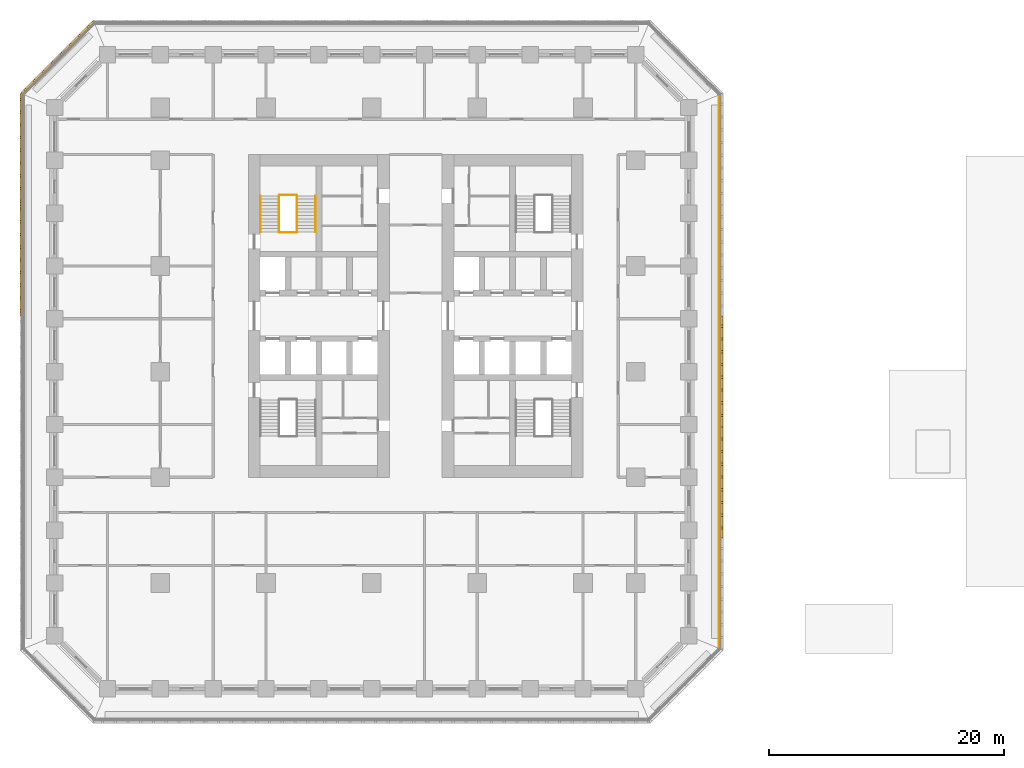
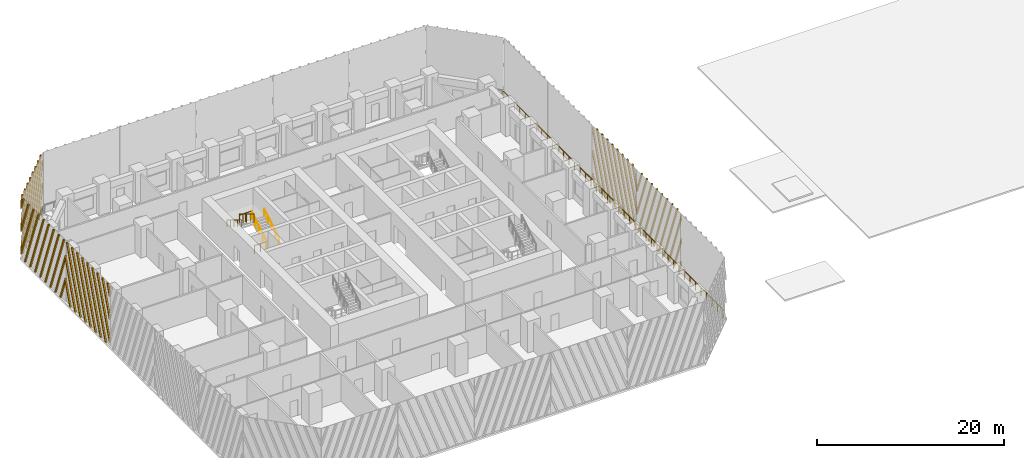
# One storey, part 12 of 15: 7 railings, 5 shading devices.
"""IFC4 building model written with IfcOpenShell, lengths in metres."""

from ifc_helpers import new_model, si_unit, direction, frame, origin, origin_2d, place, context, subcontext, project, spatial, polyline, circle, outline, extrude, source, transform, mapped, material, type_object, element, save


model = new_model("IFC4")

# Units and contexts
model_context = context("Model", 3, precision=1e-05, world=origin(), true_north=direction((0.0, 1.0)))
body_context = subcontext(model_context, "Body", "Model", "MODEL_VIEW")
ifc_project = project(units=[si_unit("LENGTHUNIT", "METRE"), si_unit("AREAUNIT", "SQUARE_METRE"), si_unit("VOLUMEUNIT", "CUBIC_METRE"), si_unit("PLANEANGLEUNIT", "RADIAN"), si_unit("MASSUNIT", "GRAM", prefix="KILO")], contexts=[model_context])

# Site, building, storey
site_placement = place(None, origin())
site = spatial("IfcSite", under=ifc_project, at=site_placement, CompositionType="ELEMENT")
building_placement = place(site_placement, origin())
building = spatial("IfcBuilding", under=site, at=building_placement, Name="Corbel Stack Research Tower", CompositionType="ELEMENT")
storey_placement = place(building_placement, frame((0.0, 0.0, 23.60009765625)))
storey = spatial("IfcBuildingStorey", under=building, at=storey_placement, Name="L05", CompositionType="ELEMENT", Elevation=23.60009765625)

# Railings
ifc_material_1 = material(Name="Steel S355", Category="steel")
railing_type_1 = type_object("IfcRailingType", Name="Stair guard 1100", PredefinedType="GUARDRAIL", material=ifc_material_1)
railing_1_placement = place(storey_placement, frame((-6.35009765625, 11.89990234375, 0.170654296875)))
element("IfcRailing", 1, at=railing_1_placement, inside=storey, type_object=railing_type_1, Name="L05 ST-W2 stair guard 1", PredefinedType="GUARDRAIL", context=body_context, shape_type="SweptSolid", body=[
    extrude(circle(Radius=0.02392578125, at=origin_2d()), frame((0.0, 0.0, 1.076171875), z_axis=(0.0, 0.853666305674, 0.52082035152), x_axis=(-1.0, 0.0, 0.0)), (0.0, 0.0, 1.0), 3.608154296875),
    extrude(circle(Radius=0.02099609375, at=origin_2d()), origin(), (0.0, 0.0, 1.0), 1.052001953125),
    extrude(circle(Radius=0.02099609375, at=origin_2d()), frame((0.0, 0.77001953125, 0.4697265625)), (0.0, 0.0, 1.0), 1.052001953125),
    extrude(circle(Radius=0.02099609375, at=origin_2d()), frame((0.0, 1.5400390625, 0.939453125)), (0.0, 0.0, 1.0), 1.052001953125),
    extrude(circle(Radius=0.02099609375, at=origin_2d()), frame((0.0, 2.31005859375, 1.409423828125)), (0.0, 0.0, 1.0), 1.052001953125),
    extrude(circle(Radius=0.02099609375, at=origin_2d()), frame((0.0, 3.080078125, 1.879150390625)), (0.0, 0.0, 1.0), 1.052001953125),
])
railing_2_placement = place(storey_placement, frame((-6.39990234375, 15.030029296875, 2.0498046875)))
element("IfcRailing", 2, at=railing_2_placement, inside=storey, type_object=railing_type_1, Name="L05 ST-W2 stair guard 2", PredefinedType="GUARDRAIL", context=body_context, shape_type="SweptSolid", body=[
    extrude(circle(Radius=0.02392578125, at=origin_2d()), frame((0.0, 0.0, 1.076171875), z_axis=(-1.0, 0.0, 0.0), x_axis=(0.0, -1.0, 0.0)), (0.0, 0.0, 1.0), 1.4501953125),
    extrude(circle(Radius=0.02099609375, at=origin_2d()), origin(), (0.0, 0.0, 1.0), 1.052001953125),
    extrude(circle(Radius=0.02099609375, at=origin_2d()), frame((-0.72509765625, 0.0, 0.0)), (0.0, 0.0, 1.0), 1.052001953125),
    extrude(circle(Radius=0.02099609375, at=origin_2d()), frame((-1.4501953125, 0.0, 0.0)), (0.0, 0.0, 1.0), 1.052001953125),
])
railing_3_placement = place(storey_placement, frame((-7.89990234375, 14.97998046875, 2.220703125)))
element("IfcRailing", 3, at=railing_3_placement, inside=storey, type_object=railing_type_1, Name="L05 ST-W2 stair guard 3", PredefinedType="GUARDRAIL", context=body_context, shape_type="SweptSolid", body=[
    extrude(circle(Radius=0.02392578125, at=origin_2d()), frame((0.0, 0.0, 1.076171875), z_axis=(0.0, -0.853666305674, 0.52082035152), x_axis=(1.0, 0.0, 0.0)), (0.0, 0.0, 1.0), 3.608154296875),
    extrude(circle(Radius=0.02099609375, at=origin_2d()), origin(), (0.0, 0.0, 1.0), 1.052001953125),
    extrude(circle(Radius=0.02099609375, at=origin_2d()), frame((0.0, -0.77001953125, 0.4697265625)), (0.0, 0.0, 1.0), 1.052001953125),
    extrude(circle(Radius=0.02099609375, at=origin_2d()), frame((0.0, -1.5400390625, 0.939453125)), (0.0, 0.0, 1.0), 1.052001953125),
    extrude(circle(Radius=0.02099609375, at=origin_2d()), frame((0.0, -2.31005859375, 1.409423828125)), (0.0, 0.0, 1.0), 1.052001953125),
    extrude(circle(Radius=0.02099609375, at=origin_2d()), frame((0.0, -3.080078125, 1.879150390625)), (0.0, 0.0, 1.0), 1.052001953125),
])
railing_4_placement = place(storey_placement, frame((-6.39990234375, 11.85009765625, 0.0)))
element("IfcRailing", 4, at=railing_4_placement, inside=storey, type_object=railing_type_1, Name="L05 ST-W2 stair guard 4", PredefinedType="GUARDRAIL", context=body_context, shape_type="SweptSolid", body=[
    extrude(circle(Radius=0.02392578125, at=origin_2d()), frame((0.0, 0.0, 1.076171875), z_axis=(-1.0, 0.0, 0.0), x_axis=(0.0, -1.0, 0.0)), (0.0, 0.0, 1.0), 1.4501953125),
    extrude(circle(Radius=0.02099609375, at=origin_2d()), origin(), (0.0, 0.0, 1.0), 1.052001953125),
    extrude(circle(Radius=0.02099609375, at=origin_2d()), frame((-0.72509765625, 0.0, 0.0)), (0.0, 0.0, 1.0), 1.052001953125),
    extrude(circle(Radius=0.02099609375, at=origin_2d()), frame((-1.4501953125, 0.0, 0.0)), (0.0, 0.0, 1.0), 1.052001953125),
])
ifc_material_2 = material(Name="Steel S355", Category="steel")
railing_type_2 = type_object("IfcRailingType", Name="Stair handrail 900", PredefinedType="HANDRAIL", material=ifc_material_2)
railing_5_placement = place(storey_placement, frame((-4.800048828125, 11.89990234375, 0.170654296875)))
element("IfcRailing", 5, at=railing_5_placement, inside=storey, type_object=railing_type_2, Name="L05 ST-W2 stair handrail 1", PredefinedType="HANDRAIL", context=body_context, shape_type="SweptSolid", body=[
    extrude(circle(Radius=0.02392578125, at=origin_2d()), frame((0.0, 0.0, 0.8759765625), z_axis=(0.0, 0.853666305674, 0.52082035152), x_axis=(-1.0, 0.0, 0.0)), (0.0, 0.0, 1.0), 3.608154296875),
    extrude(circle(Radius=0.02099609375, at=origin_2d()), origin(), (0.0, 0.0, 1.0), 0.851806640625),
    extrude(circle(Radius=0.02099609375, at=origin_2d()), frame((0.0, 0.77001953125, 0.4697265625)), (0.0, 0.0, 1.0), 0.851806640625),
    extrude(circle(Radius=0.02099609375, at=origin_2d()), frame((0.0, 1.5400390625, 0.939453125)), (0.0, 0.0, 1.0), 0.851806640625),
    extrude(circle(Radius=0.02099609375, at=origin_2d()), frame((0.0, 2.31005859375, 1.409423828125)), (0.0, 0.0, 1.0), 0.851806640625),
    extrude(circle(Radius=0.02099609375, at=origin_2d()), frame((0.0, 3.080078125, 1.879150390625)), (0.0, 0.0, 1.0), 0.851806640625),
])
railing_6_placement = place(storey_placement, frame((-9.449951171875, 14.97998046875, 2.220703125)))
element("IfcRailing", 6, at=railing_6_placement, inside=storey, type_object=railing_type_2, Name="L05 ST-W2 stair handrail 2", PredefinedType="HANDRAIL", context=body_context, shape_type="SweptSolid", body=[
    extrude(circle(Radius=0.02392578125, at=origin_2d()), frame((0.0, 0.0, 0.8759765625), z_axis=(0.0, -0.853666305674, 0.52082035152), x_axis=(1.0, 0.0, 0.0)), (0.0, 0.0, 1.0), 3.608154296875),
    extrude(circle(Radius=0.02099609375, at=origin_2d()), origin(), (0.0, 0.0, 1.0), 0.851806640625),
    extrude(circle(Radius=0.02099609375, at=origin_2d()), frame((0.0, -0.77001953125, 0.4697265625)), (0.0, 0.0, 1.0), 0.851806640625),
    extrude(circle(Radius=0.02099609375, at=origin_2d()), frame((0.0, -1.5400390625, 0.939453125)), (0.0, 0.0, 1.0), 0.851806640625),
    extrude(circle(Radius=0.02099609375, at=origin_2d()), frame((0.0, -2.31005859375, 1.409423828125)), (0.0, 0.0, 1.0), 0.851806640625),
    extrude(circle(Radius=0.02099609375, at=origin_2d()), frame((0.0, -3.080078125, 1.879150390625)), (0.0, 0.0, 1.0), 0.851806640625),
])
ifc_material_3 = material(Name="Powder-coated steel guard", Category="steel")
railing_type_3 = type_object("IfcRailingType", Name="Steel and glass guard 1100", PredefinedType="GUARDRAIL", material=ifc_material_3)
railing_7_placement = place(storey_placement, frame((29.60009765625, -23.50537109375, 0.0)))
element("IfcRailing", 7, at=railing_7_placement, inside=storey, type_object=railing_type_3, Name="Loggia guard L05 E", PredefinedType="GUARDRAIL", context=body_context, shape_type="SweptSolid", body=[
    extrude(circle(Radius=0.02392578125, at=origin_2d()), frame((0.0, 0.0, 1.076171875), z_axis=(0.0, 1.0, 0.0), x_axis=(-1.0, 0.0, 0.0)), (0.0, 0.0, 1.0), 47.0107421875),
    extrude(circle(Radius=0.02099609375, at=origin_2d()), origin(), (0.0, 0.0, 1.0), 1.052001953125),
    extrude(circle(Radius=0.02099609375, at=origin_2d()), frame((0.0, 1.17529296875, 0.0)), (0.0, 0.0, 1.0), 1.052001953125),
    extrude(circle(Radius=0.02099609375, at=origin_2d()), frame((0.0, 2.3505859375, 0.0)), (0.0, 0.0, 1.0), 1.052001953125),
    extrude(circle(Radius=0.02099609375, at=origin_2d()), frame((0.0, 3.52587890625, 0.0)), (0.0, 0.0, 1.0), 1.052001953125),
    extrude(circle(Radius=0.02099609375, at=origin_2d()), frame((0.0, 4.701171875, 0.0)), (0.0, 0.0, 1.0), 1.052001953125),
    extrude(circle(Radius=0.02099609375, at=origin_2d()), frame((0.0, 5.87646484375, 0.0)), (0.0, 0.0, 1.0), 1.052001953125),
    extrude(circle(Radius=0.02099609375, at=origin_2d()), frame((0.0, 7.051513671875, 0.0)), (0.0, 0.0, 1.0), 1.052001953125),
    extrude(circle(Radius=0.02099609375, at=origin_2d()), frame((0.0, 8.226806640625, 0.0)), (0.0, 0.0, 1.0), 1.052001953125),
    extrude(circle(Radius=0.02099609375, at=origin_2d()), frame((0.0, 9.402099609375, 0.0)), (0.0, 0.0, 1.0), 1.052001953125),
    extrude(circle(Radius=0.02099609375, at=origin_2d()), frame((0.0, 10.577392578125, 0.0)), (0.0, 0.0, 1.0), 1.052001953125),
    extrude(circle(Radius=0.02099609375, at=origin_2d()), frame((0.0, 11.752685546875, 0.0)), (0.0, 0.0, 1.0), 1.052001953125),
    extrude(circle(Radius=0.02099609375, at=origin_2d()), frame((0.0, 12.927978515625, 0.0)), (0.0, 0.0, 1.0), 1.052001953125),
    extrude(circle(Radius=0.02099609375, at=origin_2d()), frame((0.0, 14.103271484375, 0.0)), (0.0, 0.0, 1.0), 1.052001953125),
    extrude(circle(Radius=0.02099609375, at=origin_2d()), frame((0.0, 15.278564453125, 0.0)), (0.0, 0.0, 1.0), 1.052001953125),
    extrude(circle(Radius=0.02099609375, at=origin_2d()), frame((0.0, 16.453857421875, 0.0)), (0.0, 0.0, 1.0), 1.052001953125),
    extrude(circle(Radius=0.02099609375, at=origin_2d()), frame((0.0, 17.62890625, 0.0)), (0.0, 0.0, 1.0), 1.052001953125),
    extrude(circle(Radius=0.02099609375, at=origin_2d()), frame((0.0, 18.80419921875, 0.0)), (0.0, 0.0, 1.0), 1.052001953125),
    extrude(circle(Radius=0.02099609375, at=origin_2d()), frame((0.0, 19.9794921875, 0.0)), (0.0, 0.0, 1.0), 1.052001953125),
    extrude(circle(Radius=0.02099609375, at=origin_2d()), frame((0.0, 21.15478515625, 0.0)), (0.0, 0.0, 1.0), 1.052001953125),
    extrude(circle(Radius=0.02099609375, at=origin_2d()), frame((0.0, 22.330078125, 0.0)), (0.0, 0.0, 1.0), 1.052001953125),
    extrude(circle(Radius=0.02099609375, at=origin_2d()), frame((0.0, 23.50537109375, 0.0)), (0.0, 0.0, 1.0), 1.052001953125),
    extrude(circle(Radius=0.02099609375, at=origin_2d()), frame((0.0, 24.6806640625, 0.0)), (0.0, 0.0, 1.0), 1.052001953125),
    extrude(circle(Radius=0.02099609375, at=origin_2d()), frame((0.0, 25.85595703125, 0.0)), (0.0, 0.0, 1.0), 1.052001953125),
    extrude(circle(Radius=0.02099609375, at=origin_2d()), frame((0.0, 27.03125, 0.0)), (0.0, 0.0, 1.0), 1.052001953125),
    extrude(circle(Radius=0.02099609375, at=origin_2d()), frame((0.0, 28.20654296875, 0.0)), (0.0, 0.0, 1.0), 1.052001953125),
    extrude(circle(Radius=0.02099609375, at=origin_2d()), frame((0.0, 29.3818359375, 0.0)), (0.0, 0.0, 1.0), 1.052001953125),
    extrude(circle(Radius=0.02099609375, at=origin_2d()), frame((0.0, 30.556884765625, 0.0)), (0.0, 0.0, 1.0), 1.052001953125),
    extrude(circle(Radius=0.02099609375, at=origin_2d()), frame((0.0, 31.732177734375, 0.0)), (0.0, 0.0, 1.0), 1.052001953125),
    extrude(circle(Radius=0.02099609375, at=origin_2d()), frame((0.0, 32.907470703125, 0.0)), (0.0, 0.0, 1.0), 1.052001953125),
    extrude(circle(Radius=0.02099609375, at=origin_2d()), frame((0.0, 34.082763671875, 0.0)), (0.0, 0.0, 1.0), 1.052001953125),
    extrude(circle(Radius=0.02099609375, at=origin_2d()), frame((0.0, 35.258056640625, 0.0)), (0.0, 0.0, 1.0), 1.052001953125),
    extrude(circle(Radius=0.02099609375, at=origin_2d()), frame((0.0, 36.433349609375, 0.0)), (0.0, 0.0, 1.0), 1.052001953125),
    extrude(circle(Radius=0.02099609375, at=origin_2d()), frame((0.0, 37.608642578125, 0.0)), (0.0, 0.0, 1.0), 1.052001953125),
    extrude(circle(Radius=0.02099609375, at=origin_2d()), frame((0.0, 38.783935546875, 0.0)), (0.0, 0.0, 1.0), 1.052001953125),
    extrude(circle(Radius=0.02099609375, at=origin_2d()), frame((0.0, 39.959228515625, 0.0)), (0.0, 0.0, 1.0), 1.052001953125),
    extrude(circle(Radius=0.02099609375, at=origin_2d()), frame((0.0, 41.13427734375, 0.0)), (0.0, 0.0, 1.0), 1.052001953125),
    extrude(circle(Radius=0.02099609375, at=origin_2d()), frame((0.0, 42.3095703125, 0.0)), (0.0, 0.0, 1.0), 1.052001953125),
    extrude(circle(Radius=0.02099609375, at=origin_2d()), frame((0.0, 43.48486328125, 0.0)), (0.0, 0.0, 1.0), 1.052001953125),
    extrude(circle(Radius=0.02099609375, at=origin_2d()), frame((0.0, 44.66015625, 0.0)), (0.0, 0.0, 1.0), 1.052001953125),
    extrude(circle(Radius=0.02099609375, at=origin_2d()), frame((0.0, 45.83544921875, 0.0)), (0.0, 0.0, 1.0), 1.052001953125),
    extrude(circle(Radius=0.02099609375, at=origin_2d()), frame((0.0, 47.0107421875, 0.0)), (0.0, 0.0, 1.0), 1.052001953125),
])

# Shading devices
ifc_material_4 = material(Name="Precast terracotta", Category="masonry")
shading_device_type = type_object("IfcShadingDeviceType", Name="Terracotta screen panel", PredefinedType="USERDEFINED", material=ifc_material_4)
shared_shape_1 = source(origin(), body_context, "Body", "SweptSolid", [
    extrude(outline(polyline([(1.09033203125, 7.949951171875), (0.900390625, 7.949951171875), (0.0, 5.476318359375), (0.0, 4.9541015625), (1.09033203125, 7.949951171875)])), frame((0.0, 0.0, 0.0), z_axis=(0.0, -1.0, 0.0), x_axis=(1.0, 0.0, 0.0)), (0.0, 0.0, 1.0), 0.179931640625),
    extrude(outline(polyline([(2.175048828125, 7.949951171875), (1.985107421875, 7.949951171875), (0.0, 2.49609375), (0.0, 1.97412109375), (2.175048828125, 7.949951171875)])), frame((0.0, 0.0, 0.0), z_axis=(0.0, -1.0, 0.0), x_axis=(1.0, 0.0, 0.0)), (0.0, 0.0, 1.0), 0.179931640625),
    extrude(outline(polyline([(0.3662109375, 0.0), (3.259765625, 7.949951171875), (3.069580078125, 7.949951171875), (0.17626953125, 0.0), (0.3662109375, 0.0)])), frame((0.0, 0.0, 0.0), z_axis=(0.0, -1.0, 0.0), x_axis=(1.0, 0.0, 0.0)), (0.0, 0.0, 1.0), 0.179931640625),
    extrude(outline(polyline([(1.45068359375, 0.0), (4.344482421875, 7.949951171875), (4.154296875, 7.949951171875), (1.2607421875, 0.0), (1.45068359375, 0.0)])), frame((0.0, 0.0, 0.0), z_axis=(0.0, -1.0, 0.0), x_axis=(1.0, 0.0, 0.0)), (0.0, 0.0, 1.0), 0.179931640625),
    extrude(outline(polyline([(2.535400390625, 0.0), (5.42919921875, 7.949951171875), (5.239013671875, 7.949951171875), (2.345458984375, 0.0), (2.535400390625, 0.0)])), frame((0.0, 0.0, 0.0), z_axis=(0.0, -1.0, 0.0), x_axis=(1.0, 0.0, 0.0)), (0.0, 0.0, 1.0), 0.179931640625),
    extrude(outline(polyline([(3.6201171875, 0.0), (6.513671875, 7.949951171875), (6.32373046875, 7.949951171875), (3.43017578125, 0.0), (3.6201171875, 0.0)])), frame((0.0, 0.0, 0.0), z_axis=(0.0, -1.0, 0.0), x_axis=(1.0, 0.0, 0.0)), (0.0, 0.0, 1.0), 0.179931640625),
    extrude(outline(polyline([(4.704833984375, 0.0), (7.598388671875, 7.949951171875), (7.408447265625, 7.949951171875), (4.514892578125, 0.0), (4.704833984375, 0.0)])), frame((0.0, 0.0, 0.0), z_axis=(0.0, -1.0, 0.0), x_axis=(1.0, 0.0, 0.0)), (0.0, 0.0, 1.0), 0.179931640625),
    extrude(outline(polyline([(5.78955078125, 0.0), (8.68310546875, 7.949951171875), (8.4931640625, 7.949951171875), (5.599609375, 0.0), (5.78955078125, 0.0)])), frame((0.0, 0.0, 0.0), z_axis=(0.0, -1.0, 0.0), x_axis=(1.0, 0.0, 0.0)), (0.0, 0.0, 1.0), 0.179931640625),
    extrude(outline(polyline([(6.874267578125, 0.0), (9.45556640625, 7.092529296875), (9.45556640625, 7.614501953125), (6.68408203125, 0.0), (6.874267578125, 0.0)])), frame((0.0, 0.0, 0.0), z_axis=(0.0, -1.0, 0.0), x_axis=(1.0, 0.0, 0.0)), (0.0, 0.0, 1.0), 0.179931640625),
    extrude(outline(polyline([(7.958740234375, 0.0), (9.45556640625, 4.1123046875), (9.45556640625, 4.634521484375), (7.768798828125, 0.0), (7.958740234375, 0.0)])), frame((0.0, 0.0, 0.0), z_axis=(0.0, -1.0, 0.0), x_axis=(1.0, 0.0, 0.0)), (0.0, 0.0, 1.0), 0.179931640625),
    extrude(outline(polyline([(9.04345703125, 0.0), (9.45556640625, 1.13232421875), (9.45556640625, 1.654296875), (8.853515625, 0.0), (9.04345703125, 0.0)])), frame((0.0, 0.0, 0.0), z_axis=(0.0, -1.0, 0.0), x_axis=(1.0, 0.0, 0.0)), (0.0, 0.0, 1.0), 0.179931640625),
])
shading_device_1_placement = place(storey_placement, frame((29.75, -4.727783203125, 0.0), z_axis=(0.0, 0.0, 1.0), x_axis=(0.0, 1.0, 0.0)))
element("IfcShadingDevice", 8, at=shading_device_1_placement, inside=storey, type_object=shading_device_type, Name="Terracotta screen L05 E3", ObjectType="SCREEN", PredefinedType="USERDEFINED", context=body_context, shape_type="MappedRepresentation", body=[
    mapped(shared_shape_1, transform((0.0, 0.0, 0.0))),
])
shared_shape_2 = source(origin(), body_context, "Body", "SweptSolid", [
    extrude(outline(polyline([(0.60205078125, 0.0), (0.0, 1.654296875), (0.0, 1.13232421875), (0.412109375, 0.0), (0.60205078125, 0.0)])), frame((0.0, 0.0, 0.0), z_axis=(0.0, -1.0, 0.0), x_axis=(1.0, 0.0, 0.0)), (0.0, 0.0, 1.0), 0.179931640625),
    extrude(outline(polyline([(1.686767578125, 0.0), (0.0, 4.634521484375), (0.0, 4.1123046875), (1.496826171875, 0.0), (1.686767578125, 0.0)])), frame((0.0, 0.0, 0.0), z_axis=(0.0, -1.0, 0.0), x_axis=(1.0, 0.0, 0.0)), (0.0, 0.0, 1.0), 0.179931640625),
    extrude(outline(polyline([(2.771484375, 0.0), (0.0, 7.614501953125), (0.0, 7.092529296875), (2.58154296875, 0.0), (2.771484375, 0.0)])), frame((0.0, 0.0, 0.0), z_axis=(0.0, -1.0, 0.0), x_axis=(1.0, 0.0, 0.0)), (0.0, 0.0, 1.0), 0.179931640625),
    extrude(outline(polyline([(3.856201171875, 0.0), (0.962646484375, 7.949951171875), (0.772705078125, 7.949951171875), (3.666015625, 0.0), (3.856201171875, 0.0)])), frame((0.0, 0.0, 0.0), z_axis=(0.0, -1.0, 0.0), x_axis=(1.0, 0.0, 0.0)), (0.0, 0.0, 1.0), 0.179931640625),
    extrude(outline(polyline([(4.94091796875, 0.0), (2.047119140625, 7.949951171875), (1.857177734375, 7.949951171875), (4.750732421875, 0.0), (4.94091796875, 0.0)])), frame((0.0, 0.0, 0.0), z_axis=(0.0, -1.0, 0.0), x_axis=(1.0, 0.0, 0.0)), (0.0, 0.0, 1.0), 0.179931640625),
    extrude(outline(polyline([(6.025390625, 0.0), (3.1318359375, 7.949951171875), (2.94189453125, 7.949951171875), (5.83544921875, 0.0), (6.025390625, 0.0)])), frame((0.0, 0.0, 0.0), z_axis=(0.0, -1.0, 0.0), x_axis=(1.0, 0.0, 0.0)), (0.0, 0.0, 1.0), 0.179931640625),
    extrude(outline(polyline([(7.110107421875, 0.0), (4.216552734375, 7.949951171875), (4.026611328125, 7.949951171875), (6.920166015625, 0.0), (7.110107421875, 0.0)])), frame((0.0, 0.0, 0.0), z_axis=(0.0, -1.0, 0.0), x_axis=(1.0, 0.0, 0.0)), (0.0, 0.0, 1.0), 0.179931640625),
    extrude(outline(polyline([(8.19482421875, 0.0), (5.30126953125, 7.949951171875), (5.111083984375, 7.949951171875), (8.0048828125, 0.0), (8.19482421875, 0.0)])), frame((0.0, 0.0, 0.0), z_axis=(0.0, -1.0, 0.0), x_axis=(1.0, 0.0, 0.0)), (0.0, 0.0, 1.0), 0.179931640625),
    extrude(outline(polyline([(9.279541015625, 0.0), (6.385986328125, 7.949951171875), (6.19580078125, 7.949951171875), (9.089599609375, 0.0), (9.279541015625, 0.0)])), frame((0.0, 0.0, 0.0), z_axis=(0.0, -1.0, 0.0), x_axis=(1.0, 0.0, 0.0)), (0.0, 0.0, 1.0), 0.179931640625),
    extrude(outline(polyline([(7.470703125, 7.949951171875), (7.280517578125, 7.949951171875), (9.45556640625, 1.97412109375), (9.45556640625, 2.49609375), (7.470703125, 7.949951171875)])), frame((0.0, 0.0, 0.0), z_axis=(0.0, -1.0, 0.0), x_axis=(1.0, 0.0, 0.0)), (0.0, 0.0, 1.0), 0.179931640625),
    extrude(outline(polyline([(8.55517578125, 7.949951171875), (8.365234375, 7.949951171875), (9.45556640625, 4.9541015625), (9.45556640625, 5.476318359375), (8.55517578125, 7.949951171875)])), frame((0.0, 0.0, 0.0), z_axis=(0.0, -1.0, 0.0), x_axis=(1.0, 0.0, 0.0)), (0.0, 0.0, 1.0), 0.179931640625),
])
shading_device_2_placement = place(storey_placement, frame((29.75, -14.18359375, 0.0), z_axis=(0.0, 0.0, 1.0), x_axis=(0.0, 1.0, 0.0)))
element("IfcShadingDevice", 9, at=shading_device_2_placement, inside=storey, type_object=shading_device_type, Name="Terracotta screen L05 E2", ObjectType="SCREEN", PredefinedType="USERDEFINED", context=body_context, shape_type="MappedRepresentation", body=[
    mapped(shared_shape_2, transform((0.0, 0.0, 0.0))),
])
shared_shape_3 = source(origin(), body_context, "Body", "SweptSolid", [
    extrude(outline(polyline([(0.548095703125, 7.949951171875), (0.358154296875, 7.949951171875), (0.0, 6.96630859375), (0.0, 6.444091796875), (0.548095703125, 7.949951171875)])), frame((0.0, 0.0, 0.0), z_axis=(0.0, -1.0, 0.0), x_axis=(1.0, 0.0, 0.0)), (0.0, 0.0, 1.0), 0.179931640625),
    extrude(outline(polyline([(1.6328125, 7.949951171875), (1.442626953125, 7.949951171875), (0.0, 3.986083984375), (0.0, 3.464111328125), (1.6328125, 7.949951171875)])), frame((0.0, 0.0, 0.0), z_axis=(0.0, -1.0, 0.0), x_axis=(1.0, 0.0, 0.0)), (0.0, 0.0, 1.0), 0.179931640625),
    extrude(outline(polyline([(2.71728515625, 7.949951171875), (2.52734375, 7.949951171875), (0.0, 1.006103515625), (0.0, 0.48388671875), (2.71728515625, 7.949951171875)])), frame((0.0, 0.0, 0.0), z_axis=(0.0, -1.0, 0.0), x_axis=(1.0, 0.0, 0.0)), (0.0, 0.0, 1.0), 0.179931640625),
    extrude(outline(polyline([(0.908447265625, 0.0), (3.802001953125, 7.949951171875), (3.612060546875, 7.949951171875), (0.718505859375, 0.0), (0.908447265625, 0.0)])), frame((0.0, 0.0, 0.0), z_axis=(0.0, -1.0, 0.0), x_axis=(1.0, 0.0, 0.0)), (0.0, 0.0, 1.0), 0.179931640625),
    extrude(outline(polyline([(1.9931640625, 0.0), (4.88671875, 7.949951171875), (4.69677734375, 7.949951171875), (1.80322265625, 0.0), (1.9931640625, 0.0)])), frame((0.0, 0.0, 0.0), z_axis=(0.0, -1.0, 0.0), x_axis=(1.0, 0.0, 0.0)), (0.0, 0.0, 1.0), 0.179931640625),
    extrude(outline(polyline([(3.077880859375, 0.0), (5.971435546875, 7.949951171875), (5.781494140625, 7.949951171875), (2.8876953125, 0.0), (3.077880859375, 0.0)])), frame((0.0, 0.0, 0.0), z_axis=(0.0, -1.0, 0.0), x_axis=(1.0, 0.0, 0.0)), (0.0, 0.0, 1.0), 0.179931640625),
    extrude(outline(polyline([(4.16259765625, 0.0), (7.05615234375, 7.949951171875), (6.8662109375, 7.949951171875), (3.972412109375, 0.0), (4.16259765625, 0.0)])), frame((0.0, 0.0, 0.0), z_axis=(0.0, -1.0, 0.0), x_axis=(1.0, 0.0, 0.0)), (0.0, 0.0, 1.0), 0.179931640625),
    extrude(outline(polyline([(5.247314453125, 0.0), (8.140625, 7.949951171875), (7.95068359375, 7.949951171875), (5.05712890625, 0.0), (5.247314453125, 0.0)])), frame((0.0, 0.0, 0.0), z_axis=(0.0, -1.0, 0.0), x_axis=(1.0, 0.0, 0.0)), (0.0, 0.0, 1.0), 0.179931640625),
    extrude(outline(polyline([(6.331787109375, 0.0), (9.225341796875, 7.949951171875), (9.035400390625, 7.949951171875), (6.141845703125, 0.0), (6.331787109375, 0.0)])), frame((0.0, 0.0, 0.0), z_axis=(0.0, -1.0, 0.0), x_axis=(1.0, 0.0, 0.0)), (0.0, 0.0, 1.0), 0.179931640625),
    extrude(outline(polyline([(7.41650390625, 0.0), (9.45556640625, 5.6025390625), (9.45556640625, 6.12451171875), (7.2265625, 0.0), (7.41650390625, 0.0)])), frame((0.0, 0.0, 0.0), z_axis=(0.0, -1.0, 0.0), x_axis=(1.0, 0.0, 0.0)), (0.0, 0.0, 1.0), 0.179931640625),
    extrude(outline(polyline([(8.501220703125, 0.0), (9.45556640625, 2.622314453125), (9.45556640625, 3.144287109375), (8.311279296875, 0.0), (8.501220703125, 0.0)])), frame((0.0, 0.0, 0.0), z_axis=(0.0, -1.0, 0.0), x_axis=(1.0, 0.0, 0.0)), (0.0, 0.0, 1.0), 0.179931640625),
])
shading_device_3_placement = place(storey_placement, frame((-29.75, 23.63916015625, 0.0), z_axis=(0.0, 0.0, 1.0), x_axis=(0.0, -1.0, 0.0)))
element("IfcShadingDevice", 10, at=shading_device_3_placement, inside=storey, type_object=shading_device_type, Name="Terracotta screen L05 W1", ObjectType="SCREEN", PredefinedType="USERDEFINED", context=body_context, shape_type="MappedRepresentation", body=[
    mapped(shared_shape_3, transform((0.0, 0.0, 0.0))),
])
shared_shape_4 = source(origin(), body_context, "Body", "SweptSolid", [
    extrude(outline(polyline([(1.14453125, 0.0), (0.0, 3.144287109375), (0.0, 2.622314453125), (0.95458984375, 0.0), (1.14453125, 0.0)])), frame((0.0, 0.0, 0.0), z_axis=(0.0, -1.0, 0.0), x_axis=(1.0, 0.0, 0.0)), (0.0, 0.0, 1.0), 0.179931640625),
    extrude(outline(polyline([(2.22900390625, 0.0), (0.0, 6.12451171875), (0.0, 5.6025390625), (2.0390625, 0.0), (2.22900390625, 0.0)])), frame((0.0, 0.0, 0.0), z_axis=(0.0, -1.0, 0.0), x_axis=(1.0, 0.0, 0.0)), (0.0, 0.0, 1.0), 0.179931640625),
    extrude(outline(polyline([(3.313720703125, 0.0), (0.420166015625, 7.949951171875), (0.230224609375, 7.949951171875), (3.123779296875, 0.0), (3.313720703125, 0.0)])), frame((0.0, 0.0, 0.0), z_axis=(0.0, -1.0, 0.0), x_axis=(1.0, 0.0, 0.0)), (0.0, 0.0, 1.0), 0.179931640625),
    extrude(outline(polyline([(4.3984375, 0.0), (1.5048828125, 7.949951171875), (1.31494140625, 7.949951171875), (4.20849609375, 0.0), (4.3984375, 0.0)])), frame((0.0, 0.0, 0.0), z_axis=(0.0, -1.0, 0.0), x_axis=(1.0, 0.0, 0.0)), (0.0, 0.0, 1.0), 0.179931640625),
    extrude(outline(polyline([(5.483154296875, 0.0), (2.589599609375, 7.949951171875), (2.399658203125, 7.949951171875), (5.293212890625, 0.0), (5.483154296875, 0.0)])), frame((0.0, 0.0, 0.0), z_axis=(0.0, -1.0, 0.0), x_axis=(1.0, 0.0, 0.0)), (0.0, 0.0, 1.0), 0.179931640625),
    extrude(outline(polyline([(6.56787109375, 0.0), (3.67431640625, 7.949951171875), (3.484130859375, 7.949951171875), (6.377685546875, 0.0), (6.56787109375, 0.0)])), frame((0.0, 0.0, 0.0), z_axis=(0.0, -1.0, 0.0), x_axis=(1.0, 0.0, 0.0)), (0.0, 0.0, 1.0), 0.179931640625),
    extrude(outline(polyline([(7.652587890625, 0.0), (4.7587890625, 7.949951171875), (4.56884765625, 7.949951171875), (7.46240234375, 0.0), (7.652587890625, 0.0)])), frame((0.0, 0.0, 0.0), z_axis=(0.0, -1.0, 0.0), x_axis=(1.0, 0.0, 0.0)), (0.0, 0.0, 1.0), 0.179931640625),
    extrude(outline(polyline([(8.737060546875, 0.0), (5.843505859375, 7.949951171875), (5.653564453125, 7.949951171875), (8.547119140625, 0.0), (8.737060546875, 0.0)])), frame((0.0, 0.0, 0.0), z_axis=(0.0, -1.0, 0.0), x_axis=(1.0, 0.0, 0.0)), (0.0, 0.0, 1.0), 0.179931640625),
    extrude(outline(polyline([(6.92822265625, 7.949951171875), (6.73828125, 7.949951171875), (9.45556640625, 0.48388671875), (9.45556640625, 1.006103515625), (6.92822265625, 7.949951171875)])), frame((0.0, 0.0, 0.0), z_axis=(0.0, -1.0, 0.0), x_axis=(1.0, 0.0, 0.0)), (0.0, 0.0, 1.0), 0.179931640625),
    extrude(outline(polyline([(8.012939453125, 7.949951171875), (7.822998046875, 7.949951171875), (9.45556640625, 3.464111328125), (9.45556640625, 3.986083984375), (8.012939453125, 7.949951171875)])), frame((0.0, 0.0, 0.0), z_axis=(0.0, -1.0, 0.0), x_axis=(1.0, 0.0, 0.0)), (0.0, 0.0, 1.0), 0.179931640625),
    extrude(outline(polyline([(9.09765625, 7.949951171875), (8.90771484375, 7.949951171875), (9.45556640625, 6.444091796875), (9.45556640625, 6.96630859375), (9.09765625, 7.949951171875)])), frame((0.0, 0.0, 0.0), z_axis=(0.0, -1.0, 0.0), x_axis=(1.0, 0.0, 0.0)), (0.0, 0.0, 1.0), 0.179931640625),
])
shading_device_4_placement = place(storey_placement, frame((-29.75, 14.18359375, 0.0), z_axis=(0.0, 0.0, 1.0), x_axis=(0.0, -1.0, 0.0)))
element("IfcShadingDevice", 11, at=shading_device_4_placement, inside=storey, type_object=shading_device_type, Name="Terracotta screen L05 W2", ObjectType="SCREEN", PredefinedType="USERDEFINED", context=body_context, shape_type="MappedRepresentation", body=[
    mapped(shared_shape_4, transform((0.0, 0.0, 0.0))),
])
shared_shape_5 = source(origin(), body_context, "Body", "SweptSolid", [
    extrude(outline(polyline([(0.3310546875, 0.0), (0.0, 0.9091796875), (0.0, 0.38720703125), (0.14111328125, 0.0), (0.3310546875, 0.0)])), frame((0.0, 0.0, 0.0), z_axis=(0.0, -1.0, 0.0), x_axis=(1.0, 0.0, 0.0)), (0.0, 0.0, 1.0), 0.179931640625),
    extrude(outline(polyline([(1.41552734375, 0.0), (0.0, 3.889404296875), (0.0, 3.367431640625), (1.2255859375, 0.0), (1.41552734375, 0.0)])), frame((0.0, 0.0, 0.0), z_axis=(0.0, -1.0, 0.0), x_axis=(1.0, 0.0, 0.0)), (0.0, 0.0, 1.0), 0.179931640625),
    extrude(outline(polyline([(2.500244140625, 0.0), (0.0, 6.869384765625), (0.0, 6.347412109375), (2.310302734375, 0.0), (2.500244140625, 0.0)])), frame((0.0, 0.0, 0.0), z_axis=(0.0, -1.0, 0.0), x_axis=(1.0, 0.0, 0.0)), (0.0, 0.0, 1.0), 0.179931640625),
    extrude(outline(polyline([(3.5849609375, 0.0), (0.69140625, 7.949951171875), (0.50146484375, 7.949951171875), (3.39501953125, 0.0), (3.5849609375, 0.0)])), frame((0.0, 0.0, 0.0), z_axis=(0.0, -1.0, 0.0), x_axis=(1.0, 0.0, 0.0)), (0.0, 0.0, 1.0), 0.179931640625),
    extrude(outline(polyline([(4.669677734375, 0.0), (1.776123046875, 7.949951171875), (1.586181640625, 7.949951171875), (4.4794921875, 0.0), (4.669677734375, 0.0)])), frame((0.0, 0.0, 0.0), z_axis=(0.0, -1.0, 0.0), x_axis=(1.0, 0.0, 0.0)), (0.0, 0.0, 1.0), 0.179931640625),
    extrude(outline(polyline([(5.75439453125, 0.0), (2.860595703125, 7.949951171875), (2.670654296875, 7.949951171875), (5.564208984375, 0.0), (5.75439453125, 0.0)])), frame((0.0, 0.0, 0.0), z_axis=(0.0, -1.0, 0.0), x_axis=(1.0, 0.0, 0.0)), (0.0, 0.0, 1.0), 0.179931640625),
    extrude(outline(polyline([(6.839111328125, 0.0), (3.9453125, 7.949951171875), (3.75537109375, 7.949951171875), (6.64892578125, 0.0), (6.839111328125, 0.0)])), frame((0.0, 0.0, 0.0), z_axis=(0.0, -1.0, 0.0), x_axis=(1.0, 0.0, 0.0)), (0.0, 0.0, 1.0), 0.179931640625),
    extrude(outline(polyline([(7.923583984375, 0.0), (5.030029296875, 7.949951171875), (4.840087890625, 7.949951171875), (7.733642578125, 0.0), (7.923583984375, 0.0)])), frame((0.0, 0.0, 0.0), z_axis=(0.0, -1.0, 0.0), x_axis=(1.0, 0.0, 0.0)), (0.0, 0.0, 1.0), 0.179931640625),
    extrude(outline(polyline([(6.11474609375, 7.949951171875), (5.9248046875, 7.949951171875), (8.64208984375, 0.48388671875), (8.64208984375, 1.006103515625), (6.11474609375, 7.949951171875)])), frame((0.0, 0.0, 0.0), z_axis=(0.0, -1.0, 0.0), x_axis=(1.0, 0.0, 0.0)), (0.0, 0.0, 1.0), 0.179931640625),
    extrude(outline(polyline([(7.199462890625, 7.949951171875), (7.009521484375, 7.949951171875), (8.64208984375, 3.464111328125), (8.64208984375, 3.986083984375), (7.199462890625, 7.949951171875)])), frame((0.0, 0.0, 0.0), z_axis=(0.0, -1.0, 0.0), x_axis=(1.0, 0.0, 0.0)), (0.0, 0.0, 1.0), 0.179931640625),
    extrude(outline(polyline([(8.2841796875, 7.949951171875), (8.093994140625, 7.949951171875), (8.64208984375, 6.444091796875), (8.64208984375, 6.96630859375), (8.2841796875, 7.949951171875)])), frame((0.0, 0.0, 0.0), z_axis=(0.0, -1.0, 0.0), x_axis=(1.0, 0.0, 0.0)), (0.0, 0.0, 1.0), 0.179931640625),
])
shading_device_5_placement = place(storey_placement, frame((-23.63916015625, 29.75, 0.0), z_axis=(0.0, 0.0, 1.0), x_axis=(-0.707106781187, -0.707106781187, 0.0)))
element("IfcShadingDevice", 12, at=shading_device_5_placement, inside=storey, type_object=shading_device_type, Name="Terracotta screen L05 NW1", ObjectType="SCREEN", PredefinedType="USERDEFINED", context=body_context, shape_type="MappedRepresentation", body=[
    mapped(shared_shape_5, transform((0.0, 0.0, 0.0))),
])

save(model, "model.ifc")
